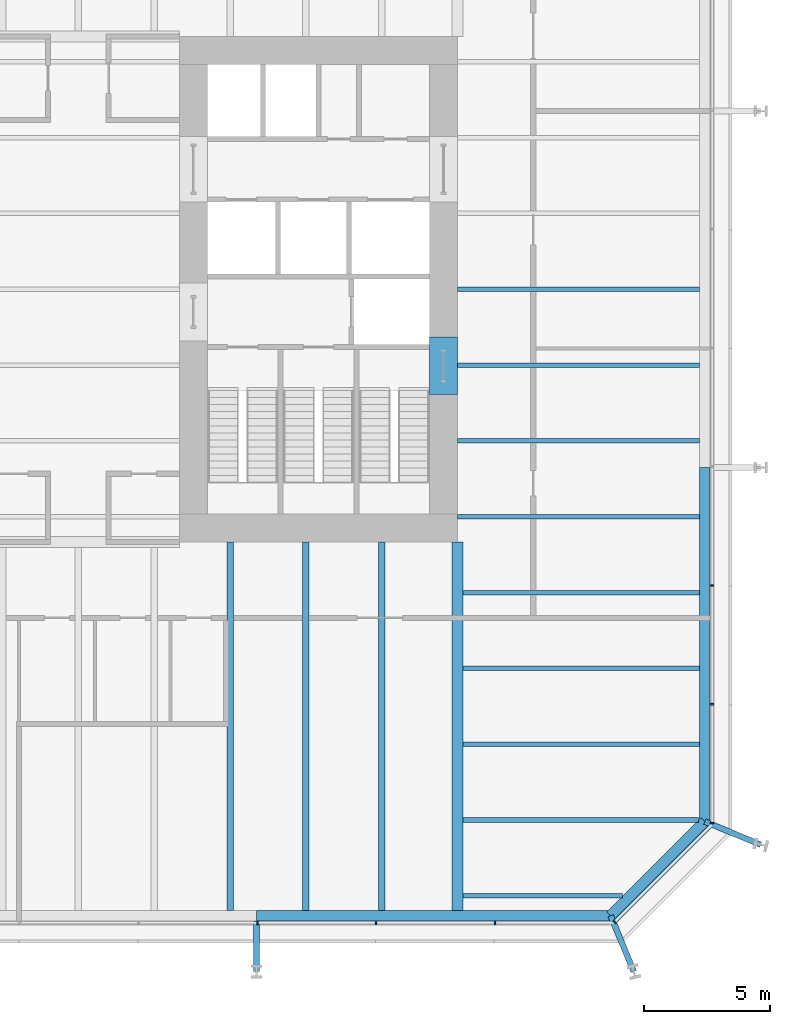
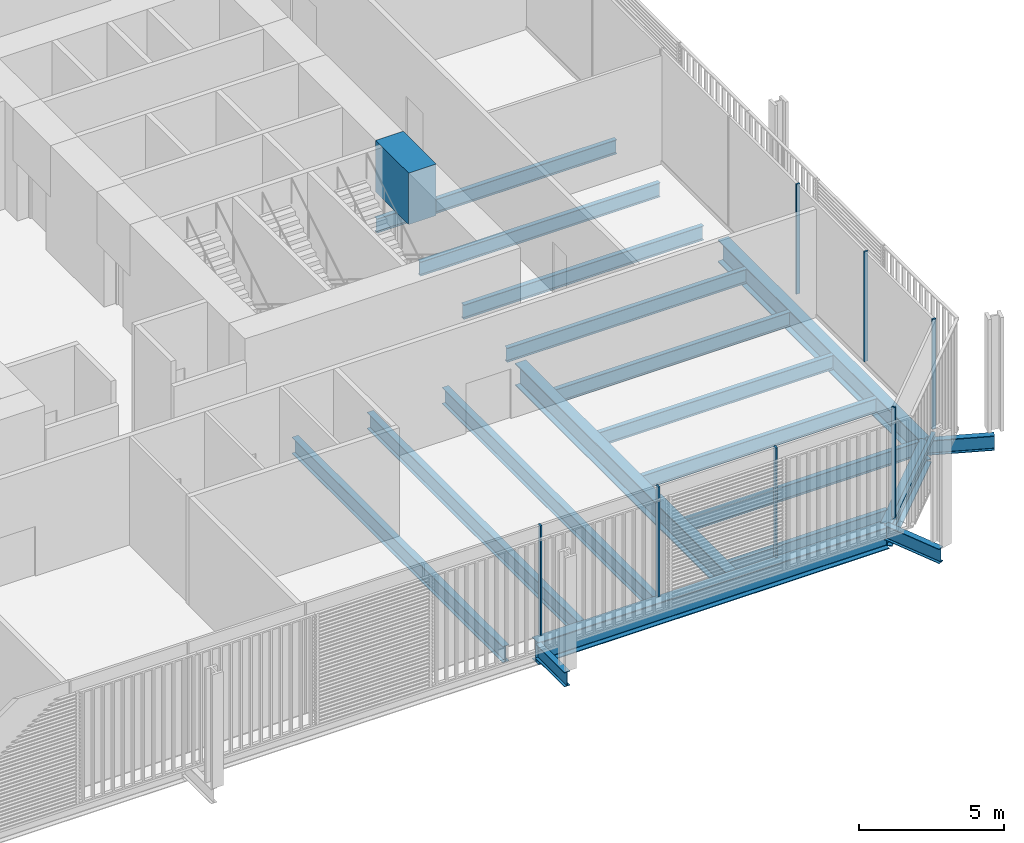
# One storey, part 8 of 22: 20 beams, 8 members, 3 elements without a shape of their own.
"""IFC4 building model written with IfcOpenShell, lengths in metres."""

from ifc_helpers import new_model, si_unit, direction, frame, origin, origin_2d, place, context, subcontext, project, spatial, rectangle, i_section, extrude, material, layer, layer_set, material_profile, profile_set, type_object, element, aggregate, save


model = new_model("IFC4")

# Units and contexts
model_context = context("Model", 3, precision=1e-05, world=origin(), true_north=direction((0.0, 1.0)))
body_context = subcontext(model_context, "Body", "Model", "MODEL_VIEW")
ifc_project = project(units=[si_unit("LENGTHUNIT", "METRE"), si_unit("AREAUNIT", "SQUARE_METRE"), si_unit("VOLUMEUNIT", "CUBIC_METRE"), si_unit("PLANEANGLEUNIT", "RADIAN"), si_unit("MASSUNIT", "GRAM", prefix="KILO")], contexts=[model_context])

# Site, building, storey
site_placement = place(None, origin())
site = spatial("IfcSite", under=ifc_project, at=site_placement, CompositionType="ELEMENT")
building_placement = place(site_placement, origin())
building = spatial("IfcBuilding", under=site, at=building_placement, Name="Millrace Tower", CompositionType="ELEMENT")
storey_placement = place(building_placement, frame((0.0, 0.0, 25.699951171875)))
storey = spatial("IfcBuildingStorey", under=building, at=storey_placement, Name="L06", CompositionType="ELEMENT", Elevation=25.699951171875)

# Curtain wall, members
ifc_material_1 = material(Name="Aluminium and glass", Category="aluminium")
ifc_layer = layer(ifc_material_1, 0.14990234375)
ifc_layer_set = layer_set([ifc_layer], Name="Aluminium and glass")
curtain_wall_type = type_object("IfcCurtainWallType", Name="CW-2 data hall insulated curtain wall", PredefinedType="NOTDEFINED", material=ifc_layer_set)
placement = place(storey_placement, origin())
curtain_wall_1 = element("IfcCurtainWall", 1, at=placement, inside=storey, type_object=curtain_wall_type, Name="Curtain wall A-F02 L06", PredefinedType="NOTDEFINED")
ifc_material_2 = material(Name="Aluminium", Category="aluminium")
ifc_material_profile_1 = material_profile(ifc_material_2, rectangle(XDim=0.06494140625, YDim=0.14990234375, at=origin_2d()))
ifc_profile_set_1 = profile_set([ifc_material_profile_1], Name="Aluminium")
member_type_1 = type_object("IfcMemberType", Name="CW-2 data hall insulated curtain wall mullion", PredefinedType="MULLION", material=ifc_profile_set_1)
member_1_placement = place(storey_placement, frame((7.08251953125, -25.074951171875, 0.16015625), z_axis=(0.0, 0.0, 1.0), x_axis=(1.0, 0.0, 0.0)))
member_1 = element("IfcMember", 2, at=member_1_placement, type_object=member_type_1, Name="CW2 mullion A-F02.7", PredefinedType="MULLION", context=body_context, shape_type="SweptSolid", body=[
    extrude(rectangle(XDim=0.06494140625, YDim=0.14990234375, at=origin_2d()), origin(), (0.0, 0.0, 1.0), 4.639892578125),
])
member_2_placement = place(storey_placement, frame((11.782470703125, -25.074951171875, 0.16015625), z_axis=(0.0, 0.0, 1.0), x_axis=(1.0, 0.0, 0.0)))
member_2 = element("IfcMember", 3, at=member_2_placement, type_object=member_type_1, Name="CW2 mullion A-F02.8", PredefinedType="MULLION", context=body_context, shape_type="SweptSolid", body=[
    extrude(rectangle(XDim=0.06494140625, YDim=0.14990234375, at=origin_2d()), origin(), (0.0, 0.0, 1.0), 4.639892578125),
])
member_3_placement = place(storey_placement, frame((16.482421875, -25.074951171875, 0.16015625), z_axis=(0.0, 0.0, 1.0), x_axis=(1.0, 0.0, 0.0)))
member_3 = element("IfcMember", 4, at=member_3_placement, type_object=member_type_1, Name="CW2 mullion A-F02.9", PredefinedType="MULLION", context=body_context, shape_type="SweptSolid", body=[
    extrude(rectangle(XDim=0.06494140625, YDim=0.14990234375, at=origin_2d()), origin(), (0.0, 0.0, 1.0), 4.639892578125),
])
aggregate(curtain_wall_1, [member_1, member_2, member_3])

# Curtain wall, member
curtain_wall_2 = element("IfcCurtainWall", 5, at=placement, inside=storey, type_object=curtain_wall_type, Name="Curtain wall A-F03 L06", PredefinedType="NOTDEFINED")
member_4_placement = place(storey_placement, frame((21.22607421875, -25.030029296875, 0.16015625), z_axis=(0.0, 0.0, 1.0), x_axis=(0.707106781187, 0.707106781187, 0.0)))
member_4 = element("IfcMember", 6, at=member_4_placement, type_object=member_type_1, Name="CW2 mullion A-F03.1", PredefinedType="MULLION", context=body_context, shape_type="SweptSolid", body=[
    extrude(rectangle(XDim=0.06494140625, YDim=0.14990234375, at=origin_2d()), origin(), (0.0, 0.0, 1.0), 4.639892578125),
])

# Curtain wall, members
curtain_wall_3 = element("IfcCurtainWall", 7, at=placement, inside=storey, type_object=curtain_wall_type, Name="Curtain wall A-F04 L06", PredefinedType="NOTDEFINED")
member_5_placement = place(storey_placement, frame((25.074951171875, -21.117431640625, 0.16015625), z_axis=(0.0, 0.0, 1.0), x_axis=(0.0, 1.0, 0.0)))
member_5 = element("IfcMember", 8, at=member_5_placement, type_object=member_type_1, Name="CW2 mullion A-F04.1", PredefinedType="MULLION", context=body_context, shape_type="SweptSolid", body=[
    extrude(rectangle(XDim=0.06494140625, YDim=0.14990234375, at=origin_2d()), origin(), (0.0, 0.0, 1.0), 4.639892578125),
])
member_6_placement = place(storey_placement, frame((25.074951171875, -16.41748046875, 0.16015625), z_axis=(0.0, 0.0, 1.0), x_axis=(0.0, 1.0, 0.0)))
member_6 = element("IfcMember", 9, at=member_6_placement, type_object=member_type_1, Name="CW2 mullion A-F04.2", PredefinedType="MULLION", context=body_context, shape_type="SweptSolid", body=[
    extrude(rectangle(XDim=0.06494140625, YDim=0.14990234375, at=origin_2d()), origin(), (0.0, 0.0, 1.0), 4.639892578125),
])
member_7_placement = place(storey_placement, frame((25.074951171875, -11.717529296875, 0.16015625), z_axis=(0.0, 0.0, 1.0), x_axis=(0.0, 1.0, 0.0)))
member_7 = element("IfcMember", 10, at=member_7_placement, type_object=member_type_1, Name="CW2 mullion A-F04.3", PredefinedType="MULLION", context=body_context, shape_type="SweptSolid", body=[
    extrude(rectangle(XDim=0.06494140625, YDim=0.14990234375, at=origin_2d()), origin(), (0.0, 0.0, 1.0), 4.639892578125),
])
aggregate(curtain_wall_3, [member_5, member_6, member_7])

# Member
ifc_material_3 = material(Name="Aluminium", Category="aluminium")
ifc_material_profile_2 = material_profile(ifc_material_3, rectangle(XDim=0.14990234375, YDim=0.159912109375, at=origin_2d()))
ifc_profile_set_2 = profile_set([ifc_material_profile_2], Name="Aluminium")
member_type_2 = type_object("IfcMemberType", Name="CW-2 data hall insulated curtain wall transom", PredefinedType="USERDEFINED", material=ifc_profile_set_2)
member_8_placement = place(storey_placement, frame((21.273681640625, -24.982421875, 0.080078125), z_axis=(0.707106781187, 0.707106781187, 0.0), x_axis=(-0.707106781187, 0.707106781187, 0.0)))
member_8 = element("IfcMember", 11, at=member_8_placement, type_object=member_type_2, Name="CW2 transom A-F03.1", ObjectType="TRANSOM", PredefinedType="USERDEFINED", context=body_context, shape_type="SweptSolid", body=[
    extrude(rectangle(XDim=0.14990234375, YDim=0.159912109375, at=origin_2d()), origin(), (0.0, 0.0, 1.0), 5.244873046875),
])

aggregate(curtain_wall_2, [member_4, member_8])

# Beams
ifc_material_4 = material(Name="Concrete C80", Category="concrete")
ifc_material_profile_3 = material_profile(ifc_material_4, rectangle(XDim=1.10009765625, YDim=2.175048828125, at=origin_2d()))
ifc_profile_set_3 = profile_set([ifc_material_profile_3], Name="Concrete C80")
beam_type_1 = type_object("IfcBeamType", Name="Coupling beam 1100 x 2175 Concrete C80, 1300 opening", PredefinedType="BEAM", material=ifc_profile_set_3)
beam_1_placement = place(storey_placement, frame((14.449951171875, -1.88818359375, 3.487548828125), z_axis=(0.0, -1.0, 0.0), x_axis=(1.0, 0.0, 0.0)))
element("IfcBeam", 12, at=beam_1_placement, inside=storey, type_object=beam_type_1, Name="Coupling beam E L06", PredefinedType="BEAM", context=body_context, shape_type="SweptSolid", body=[
    extrude(rectangle(XDim=1.10009765625, YDim=2.175048828125, at=origin_2d()), origin(), (0.0, 0.0, 1.0), 2.28369140625),
])
ifc_material_5 = material(Name="Steel ASTM A992 Grade 50", Category="steel")
ifc_material_profile_4 = material_profile(ifc_material_5, i_section(OverallWidth=0.177978515625, OverallDepth=0.599365234375, WebThickness=0.010009765625, FlangeThickness=0.012939453125, FilletRadius=0.012939453125, at=origin_2d()))
ifc_profile_set_4 = profile_set([ifc_material_profile_4], Name="Steel ASTM A992 Grade 50")
beam_type_2 = type_object("IfcBeamType", Name="Floor beam W24x55", PredefinedType="JOIST", material=ifc_profile_set_4)
beam_2_placement = place(storey_placement, frame((15.212158203125, -24.0, -0.524658203125), z_axis=(1.0, 0.0, 0.0), x_axis=(0.0, 1.0, 0.0)))
element("IfcBeam", 13, at=beam_2_placement, inside=storey, type_object=beam_type_2, Name="BM-A-L06-S1-S002", PredefinedType="JOIST", context=body_context, shape_type="SweptSolid", body=[
    extrude(i_section(OverallWidth=0.177978515625, OverallDepth=0.599365234375, WebThickness=0.010009765625, FlangeThickness=0.012939453125, FilletRadius=0.012939453125, at=origin_2d()), origin(), (0.0, 0.0, 1.0), 6.317626953125),
])
ifc_material_6 = material(Name="Steel ASTM A992 Grade 50", Category="steel")
ifc_material_profile_5 = material_profile(ifc_material_6, i_section(OverallWidth=0.1787109375, OverallDepth=0.60205078125, WebThickness=0.010986328125, FlangeThickness=0.014892578125, FilletRadius=0.0126953125, at=origin_2d()))
ifc_profile_set_5 = profile_set([ifc_material_profile_5], Name="Steel ASTM A992 Grade 50")
beam_type_3 = type_object("IfcBeamType", Name="Floor beam W24x62", PredefinedType="JOIST", material=ifc_profile_set_5)
for number, where, z_axis, x_axis, name in (
    (14, (15.212158203125, -18.0, -0.52587890625), (1.0, 0.0, 0.0), (0.0, 1.0, 0.0), "BM-A-L06-S1-S006"),
    (15, (15.212158203125, -15.0, -0.52587890625), (1.0, 0.0, 0.0), (0.0, 1.0, 0.0), "BM-A-L06-S1-S008"),
    (16, (15.212158203125, -12.0, -0.52587890625), (1.0, 0.0, 0.0), (0.0, 1.0, 0.0), "BM-A-L06-S1-S010"),
):
    element("IfcBeam", number, at=place(storey_placement, frame(where, z_axis=z_axis, x_axis=x_axis)), inside=storey, type_object=beam_type_3, Name=name, PredefinedType="JOIST", context=body_context, shape_type="SweptSolid", body=[
        extrude(i_section(OverallWidth=0.1787109375, OverallDepth=0.60205078125, WebThickness=0.010986328125, FlangeThickness=0.014892578125, FilletRadius=0.0126953125, at=origin_2d()), origin(), (0.0, 0.0, 1.0), 9.3662109375),
    ])
for number, where, z_axis, x_axis, name in (
    (17, (15.0, -9.0, -0.52587890625), (1.0, 0.0, 0.0), (0.0, 1.0, 0.0), "BM-A-L06-S1-S013"),
    (18, (15.0, -6.0, -0.52587890625), (1.0, 0.0, 0.0), (0.0, 1.0, 0.0), "BM-A-L06-S1-S016"),
    (19, (15.0, -3.0, -0.52587890625), (1.0, 0.0, 0.0), (0.0, 1.0, 0.0), "BM-A-L06-S1-S019"),
    (20, (15.0, 0.0, -0.52587890625), (1.0, 0.0, 0.0), (0.0, 1.0, 0.0), "BM-A-L06-S1-S022"),
):
    element("IfcBeam", number, at=place(storey_placement, frame(where, z_axis=z_axis, x_axis=x_axis)), inside=storey, type_object=beam_type_3, Name=name, PredefinedType="JOIST", context=body_context, shape_type="SweptSolid", body=[
        extrude(i_section(OverallWidth=0.1787109375, OverallDepth=0.60205078125, WebThickness=0.010986328125, FlangeThickness=0.014892578125, FilletRadius=0.0126953125, at=origin_2d()), origin(), (0.0, 0.0, 1.0), 9.578369140625),
    ])
beam_3_placement = place(storey_placement, frame((15.212158203125, -21.0, -0.52587890625), z_axis=(1.0, 0.0, 0.0), x_axis=(0.0, 1.0, 0.0)))
element("IfcBeam", 21, at=beam_3_placement, inside=storey, type_object=beam_type_3, Name="BM-A-L06-S1-S004", PredefinedType="JOIST", context=body_context, shape_type="SweptSolid", body=[
    extrude(i_section(OverallWidth=0.1787109375, OverallDepth=0.60205078125, WebThickness=0.010986328125, FlangeThickness=0.014892578125, FilletRadius=0.0126953125, at=origin_2d()), origin(), (0.0, 0.0, 1.0), 9.317626953125),
])
ifc_material_7 = material(Name="Steel ASTM A992 Grade 50", Category="steel")
ifc_material_profile_6 = material_profile(ifc_material_7, i_section(OverallWidth=0.256591796875, OverallDepth=0.693359375, WebThickness=0.014404296875, FlangeThickness=0.023681640625, FilletRadius=0.01513671875, at=origin_2d()))
ifc_profile_set_6 = profile_set([ifc_material_profile_6], Name="Steel ASTM A992 Grade 50")
beam_type_4 = type_object("IfcBeamType", Name="Floor beam W27x114", PredefinedType="JOIST", material=ifc_profile_set_6)
for number, where, z_axis, x_axis, name in (
    (22, (6.0, -24.578369140625, -0.57177734375), (0.0, 1.0, 0.0), (-1.0, 0.0, 0.0), "BM-A-L06-S1-S055"),
    (23, (9.0, -24.578369140625, -0.57177734375), (0.0, 1.0, 0.0), (-1.0, 0.0, 0.0), "BM-A-L06-S1-S057"),
    (24, (12.0, -24.578369140625, -0.57177734375), (0.0, 1.0, 0.0), (-1.0, 0.0, 0.0), "BM-A-L06-S1-S059"),
):
    element("IfcBeam", number, at=place(storey_placement, frame(where, z_axis=z_axis, x_axis=x_axis)), inside=storey, type_object=beam_type_4, Name=name, PredefinedType="JOIST", context=body_context, shape_type="SweptSolid", body=[
        extrude(i_section(OverallWidth=0.256591796875, OverallDepth=0.693359375, WebThickness=0.014404296875, FlangeThickness=0.023681640625, FilletRadius=0.01513671875, at=origin_2d()), origin(), (0.0, 0.0, 1.0), 14.578369140625),
    ])
ifc_material_8 = material(Name="Steel ASTM A992 Grade 50", Category="steel")
ifc_material_profile_7 = material_profile(ifc_material_8, i_section(OverallWidth=0.424072265625, OverallDepth=0.947509765625, WebThickness=0.02392578125, FlangeThickness=0.042724609375, FilletRadius=0.024169921875, at=origin_2d()))
ifc_profile_set_7 = profile_set([ifc_material_profile_7], Name="Steel ASTM A992 Grade 50")
beam_type_5 = type_object("IfcBeamType", Name="Girder medium span W36x302", PredefinedType="BEAM", material=ifc_profile_set_7)
beam_4_placement = place(storey_placement, frame((15.0, -24.578369140625, -0.69873046875), z_axis=(0.0, 1.0, 0.0), x_axis=(-1.0, 0.0, 0.0)))
element("IfcBeam", 25, at=beam_4_placement, inside=storey, type_object=beam_type_5, Name="BM-A-L06-S1-G063", PredefinedType="BEAM", context=body_context, shape_type="SweptSolid", body=[
    extrude(i_section(OverallWidth=0.424072265625, OverallDepth=0.947509765625, WebThickness=0.02392578125, FlangeThickness=0.042724609375, FilletRadius=0.024169921875, at=origin_2d()), origin(), (0.0, 0.0, 1.0), 14.578369140625),
])
ifc_material_9 = material(Name="Steel ASTM A992 Grade 50", Category="steel")
ifc_material_profile_8 = material_profile(ifc_material_9, i_section(OverallWidth=0.23046875, OverallDepth=0.6171875, WebThickness=0.01318359375, FlangeThickness=0.022216796875, FilletRadius=0.012939453125, at=origin_2d()))
ifc_profile_set_8 = profile_set([ifc_material_profile_8], Name="Steel ASTM A992 Grade 50")
beam_type_6 = type_object("IfcBeamType", Name="Link beam W24x94", PredefinedType="BEAM", material=ifc_profile_set_8)
for number, where, z_axis, x_axis, name in (
    (26, (24.7890625, -21.062744140625, -0.533447265625), (0.923883789366, -0.382673155247, 0.0), (0.382673155247, 0.923883789366, 0.0), "LNK-A-L06-S1-12"),
    (27, (21.062744140625, -24.7890625, -0.533447265625), (0.382673155247, -0.923883789366, 0.0), (0.923883789366, 0.382673155247, 0.0), "LNK-A-L06-S1-13"),
):
    element("IfcBeam", number, at=place(storey_placement, frame(where, z_axis=z_axis, x_axis=x_axis)), inside=storey, type_object=beam_type_6, Name=name, PredefinedType="BEAM", context=body_context, shape_type="SweptSolid", body=[
        extrude(i_section(OverallWidth=0.23046875, OverallDepth=0.6171875, WebThickness=0.01318359375, FlangeThickness=0.022216796875, FilletRadius=0.012939453125, at=origin_2d()), origin(), (0.0, 0.0, 1.0), 2.39306640625),
    ])
beam_5_placement = place(storey_placement, frame((7.050048828125, -25.0, -0.533447265625), z_axis=(0.0, -1.0, 0.0), x_axis=(1.0, 0.0, 0.0)))
element("IfcBeam", 28, at=beam_5_placement, inside=storey, type_object=beam_type_6, Name="LNK-A-L06-S1-14", PredefinedType="BEAM", context=body_context, shape_type="SweptSolid", body=[
    extrude(i_section(OverallWidth=0.23046875, OverallDepth=0.6171875, WebThickness=0.01318359375, FlangeThickness=0.022216796875, FilletRadius=0.012939453125, at=origin_2d()), origin(), (0.0, 0.0, 1.0), 2.0),
])
ifc_material_10 = material(Name="Steel ASTM A992 Grade 50", Category="steel")
ifc_material_profile_9 = material_profile(ifc_material_10, i_section(OverallWidth=0.421630859375, OverallDepth=0.937255859375, WebThickness=0.021240234375, FlangeThickness=0.03662109375, FilletRadius=0.024169921875, at=origin_2d()))
ifc_profile_set_9 = profile_set([ifc_material_profile_9], Name="Steel ASTM A992 Grade 50")
beam_type_7 = type_object("IfcBeamType", Name="Ring beam medium span W36x262", PredefinedType="SPANDREL", material=ifc_profile_set_9)
for number, where, z_axis, x_axis, name in (
    (29, (24.7890625, -7.050048828125, -0.693603515625), (0.0, -1.0, 0.0), (1.0, 0.0, 0.0), "RNG-A-L06-S1-11"),
    (30, (21.062744140625, -24.7890625, -0.693603515625), (-1.0, 0.0, 0.0), (0.0, -1.0, 0.0), "RNG-A-L06-S1-13"),
):
    element("IfcBeam", number, at=place(storey_placement, frame(where, z_axis=z_axis, x_axis=x_axis)), inside=storey, type_object=beam_type_7, Name=name, PredefinedType="SPANDREL", context=body_context, shape_type="SweptSolid", body=[
        extrude(i_section(OverallWidth=0.421630859375, OverallDepth=0.937255859375, WebThickness=0.021240234375, FlangeThickness=0.03662109375, FilletRadius=0.024169921875, at=origin_2d()), origin(), (0.0, 0.0, 1.0), 14.0126953125),
    ])
ifc_material_11 = material(Name="Steel ASTM A992 Grade 50", Category="steel")
ifc_material_profile_10 = material_profile(ifc_material_11, i_section(OverallWidth=0.421630859375, OverallDepth=0.937255859375, WebThickness=0.021240234375, FlangeThickness=0.03662109375, FilletRadius=0.024169921875, at=origin_2d()))
ifc_profile_set_10 = profile_set([ifc_material_profile_10], Name="Steel ASTM A992 Grade 50")
beam_type_8 = type_object("IfcBeamType", Name="Ring beam short span W36x262", PredefinedType="SPANDREL", material=ifc_profile_set_10)
beam_6_placement = place(storey_placement, frame((24.7890625, -21.062744140625, -0.693603515625), z_axis=(-0.707106781187, -0.707106781187, 0.0), x_axis=(0.707106781187, -0.707106781187, 0.0)))
element("IfcBeam", 31, at=beam_6_placement, inside=storey, type_object=beam_type_8, Name="RNG-A-L06-S1-12", PredefinedType="SPANDREL", context=body_context, shape_type="SweptSolid", body=[
    extrude(i_section(OverallWidth=0.421630859375, OverallDepth=0.937255859375, WebThickness=0.021240234375, FlangeThickness=0.03662109375, FilletRadius=0.024169921875, at=origin_2d()), origin(), (0.0, 0.0, 1.0), 5.269775390625),
])

save(model, "model.ifc")
